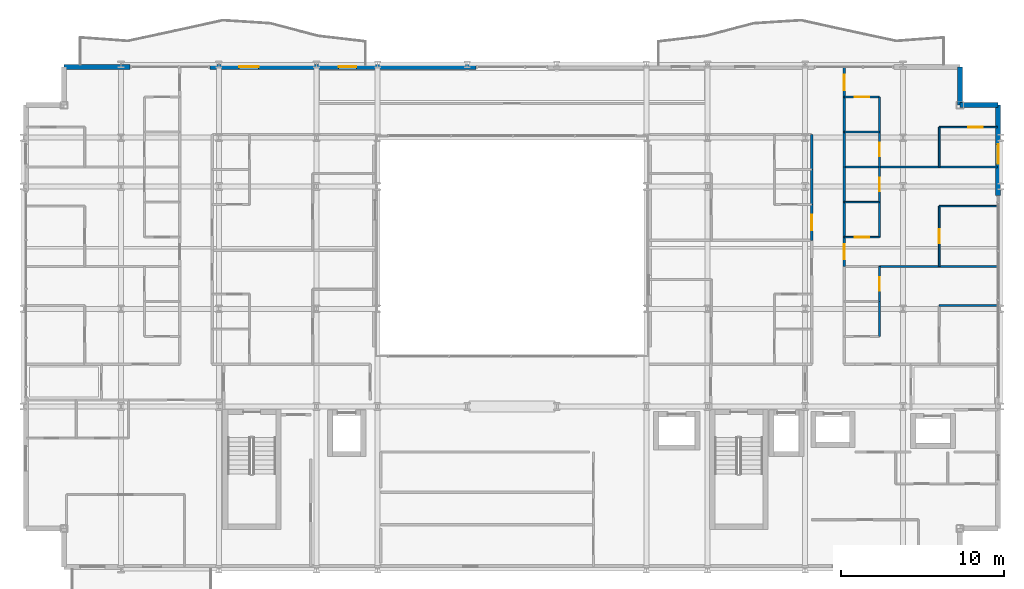
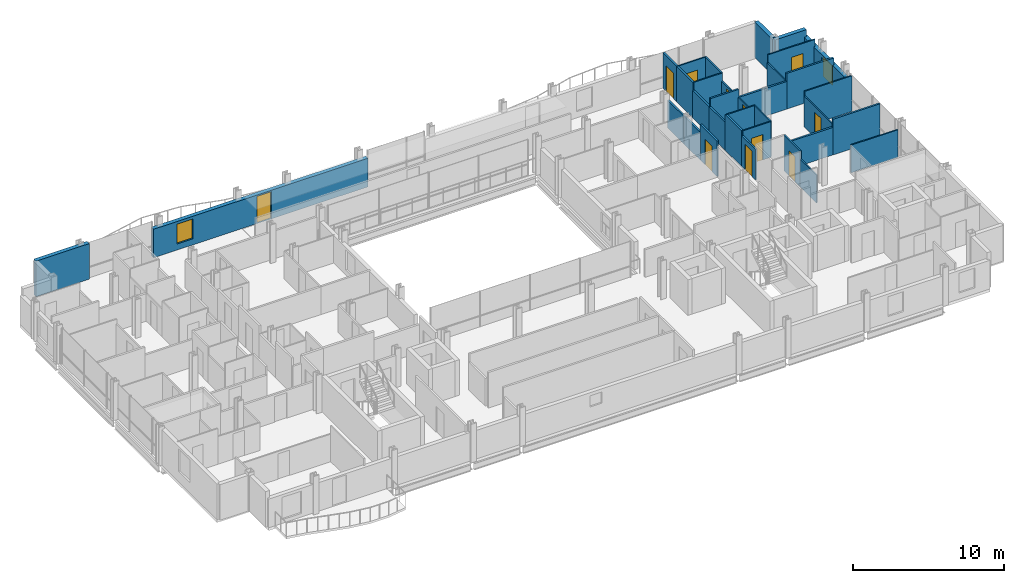
# One storey, part 36 of 40: 34 walls, 11 doors, 2 windows, 13 openings.
"""IFC4 building model written with IfcOpenShell, lengths in metres."""

from ifc_helpers import new_model, si_unit, direction, frame, frame_2d, origin, place, context, subcontext, project, spatial, rectangle, extrude, material, layer, layer_set, type_object, element, fill, save


model = new_model("IFC4")

# Units and contexts
model_context = context("Model", 3, precision=1e-05, world=origin(), true_north=direction((0.0, 1.0)))
body_context = subcontext(model_context, "Body", "Model", "MODEL_VIEW")
ifc_project = project(units=[si_unit("LENGTHUNIT", "METRE"), si_unit("AREAUNIT", "SQUARE_METRE"), si_unit("VOLUMEUNIT", "CUBIC_METRE"), si_unit("PLANEANGLEUNIT", "RADIAN"), si_unit("MASSUNIT", "GRAM", prefix="KILO")], contexts=[model_context])

# Site, building, storey
site_placement = place(None, origin())
site = spatial("IfcSite", under=ifc_project, at=site_placement, CompositionType="ELEMENT")
building_placement = place(site_placement, origin())
building = spatial("IfcBuilding", under=site, at=building_placement, Name="Brevholm Reach", CompositionType="ELEMENT")
storey_placement = place(building_placement, frame((0.0, 0.0, 37.300048828125)))
storey = spatial("IfcBuildingStorey", under=building, at=storey_placement, Name="L09", CompositionType="ELEMENT", Elevation=37.300048828125)

# Walls
ifc_material_1 = material(Name="Concrete C40/50", Category="concrete")
ifc_layer_1 = layer(ifc_material_1, 0.300048828125)
ifc_layer_set_1 = layer_set([ifc_layer_1], Name="Concrete C40/50")
wall_type_1 = type_object("IfcWallType", Name="WAL-EXT-300", PredefinedType="STANDARD", material=ifc_layer_set_1)
for number, where, z_axis, x_axis, name in (
    (1, (59.85009765625, 28.5, 0.0), (0.0, 0.0, 1.0), (-1.0, 0.0, 0.0), "L09 Facade Wall WAL-L09-CNE1"),
    (2, (57.5, 28.5, 0.0), (0.0, 0.0, 1.0), (0.0, 1.0, 0.0), "L09 Facade Wall WAL-L09-CNE2"),
):
    element("IfcWall", number, at=place(storey_placement, frame(where, z_axis=z_axis, x_axis=x_axis)), inside=storey, type_object=wall_type_1, Name=name, PredefinedType="STANDARD", context=body_context, shape_type="SweptSolid", body=[
        extrude(rectangle(XDim=2.35009765625, YDim=0.300048828125, at=frame_2d((1.175048828125, 0.0))), origin(), (0.0, 0.0, 1.0), 2.869873046875),
    ])

# Wall, opening, window
wall_1_placement = place(storey_placement, frame((59.85009765625, 22.949951171875, 0.0), z_axis=(0.0, 0.0, 1.0), x_axis=(0.0, 1.0, 0.0)))
wall_1 = element("IfcWall", 3, at=wall_1_placement, inside=storey, type_object=wall_type_1, Name="L09 Facade Wall WAL-L09-E-N", PredefinedType="STANDARD", context=body_context, shape_type="SweptSolid", body=[
    extrude(rectangle(XDim=5.550048828125, YDim=0.300048828125, at=frame_2d((2.77490234375, 0.0))), origin(), (0.0, 0.0, 1.0), 2.305419921875),
])
opening_1_placement = place(wall_1_placement, frame((1.949951171875, 0.0, 0.486083984375)))
opening_1 = element("IfcOpeningElement", 4, at=opening_1_placement, cuts=wall_1, Name="Opening WN-08", PredefinedType="OPENING", context=body_context, shape_type="SweptSolid", body=[
    extrude(rectangle(XDim=1.199951171875, YDim=1.60009765625, at=frame_2d((0.60009765625, 0.800048828125))), frame((0.0, 0.159912109375, 0.0), z_axis=(0.0, -1.0, 0.0), x_axis=(1.0, 0.0, 0.0)), (0.0, 0.0, 1.0), 0.320068359375),
])
ifc_material_2 = material(Name="Dark Anodised Aluminium and Solar-Control IGU Glass", Category="aluminium")
window_type = type_object("IfcWindowType", Name="WIN-RES-1200", PartitioningType="SINGLE_PANEL", PredefinedType="WINDOW", material=ifc_material_2)
window_1_placement = place(opening_1_placement, origin())
window_1 = element("IfcWindow", 5, at=window_1_placement, inside=storey, type_object=window_type, Name="L09 Window WIN-L09-EN-1", OverallHeight=1.60009765625, OverallWidth=1.199951171875, PartitioningType="SINGLE_PANEL", PredefinedType="WINDOW", context=body_context, shape_type="SweptSolid", body=[
    extrude(rectangle(XDim=1.199951171875, YDim=1.60009765625, at=frame_2d((0.60009765625, 0.800048828125))), frame((0.0, 0.030029296875, 0.0), z_axis=(0.0, -1.0, 0.0), x_axis=(1.0, 0.0, 0.0)), (0.0, 0.0, 1.0), 0.06005859375),
])
fill(opening_1, window_1)

# Wall
wall_2_placement = place(storey_placement, frame((2.5, 30.85009765625, 0.0), z_axis=(0.0, 0.0, 1.0), x_axis=(1.0, 0.0, 0.0)))
element("IfcWall", 6, at=wall_2_placement, inside=storey, type_object=wall_type_1, Name="L09 Facade Wall WAL-L09-NP-W0", PredefinedType="STANDARD", context=body_context, shape_type="SweptSolid", body=[
    extrude(rectangle(XDim=4.050048828125, YDim=0.300048828125, at=frame_2d((2.02490234375, 0.0))), origin(), (0.0, 0.0, 1.0), 2.869873046875),
])

# Wall, openings, door, window
wall_3_placement = place(storey_placement, frame((11.449951171875, 30.85009765625, 0.0), z_axis=(0.0, 0.0, 1.0), x_axis=(1.0, 0.0, 0.0)))
wall_3 = element("IfcWall", 7, at=wall_3_placement, inside=storey, type_object=wall_type_1, Name="L09 Facade Wall WAL-L09-NP-WL", PredefinedType="STANDARD", context=body_context, shape_type="SweptSolid", body=[
    extrude(rectangle(XDim=16.35009765625, YDim=0.300048828125, at=frame_2d((8.175048828125, 0.0))), origin(), (0.0, 0.0, 1.0), 2.305419921875),
])
opening_2_placement = place(wall_3_placement, frame((7.89794921875, 0.0, 0.0)))
opening_2 = element("IfcOpeningElement", 8, at=opening_2_placement, cuts=wall_3, Name="Opening BD-01", PredefinedType="OPENING", context=body_context, shape_type="SweptSolid", body=[
    extrude(rectangle(XDim=1.10009765625, YDim=2.199951171875, at=frame_2d((0.550048828125, 1.10009765625))), frame((0.0, 0.159912109375, 0.0), z_axis=(0.0, -1.0, 0.0), x_axis=(1.0, 0.0, 0.0)), (0.0, 0.0, 1.0), 0.320068359375),
])
opening_3_placement = place(wall_3_placement, frame((1.800048828125, 0.0, 0.486083984375)))
opening_3 = element("IfcOpeningElement", 9, at=opening_3_placement, cuts=wall_3, Name="Opening WN-08", PredefinedType="OPENING", context=body_context, shape_type="SweptSolid", body=[
    extrude(rectangle(XDim=1.199951171875, YDim=1.60009765625, at=frame_2d((0.60009765625, 0.800048828125))), frame((0.0, 0.159912109375, 0.0), z_axis=(0.0, -1.0, 0.0), x_axis=(1.0, 0.0, 0.0)), (0.0, 0.0, 1.0), 0.320068359375),
])
ifc_material_3 = material(Name="Dark Anodised Aluminium and Triple-Glazed Glass", Category="aluminium")
door_type_1 = type_object("IfcDoorType", Name="DOR-BALC-1100", OperationType="NOTDEFINED", PredefinedType="DOOR", material=ifc_material_3)
door_1_placement = place(opening_2_placement, origin())
door_1 = element("IfcDoor", 10, at=door_1_placement, inside=storey, type_object=door_type_1, Name="L09 Exterior Door DOR-L09-BL-NW", OperationType="SINGLE_SWING_RIGHT", OverallHeight=2.199951171875, OverallWidth=1.10009765625, PredefinedType="DOOR", context=body_context, shape_type="SweptSolid", body=[
    extrude(rectangle(XDim=1.10009765625, YDim=2.199951171875, at=frame_2d((0.550048828125, 1.10009765625))), frame((0.0, 0.02490234375, 0.0), z_axis=(0.0, -1.0, 0.0), x_axis=(1.0, 0.0, 0.0)), (0.0, 0.0, 1.0), 0.050048828125),
])
fill(opening_2, door_1)
window_2_placement = place(opening_3_placement, origin())
window_2 = element("IfcWindow", 11, at=window_2_placement, inside=storey, type_object=window_type, Name="L09 Window WIN-L09-NP-WL1", OverallHeight=1.60009765625, OverallWidth=1.199951171875, PartitioningType="SINGLE_PANEL", PredefinedType="WINDOW", context=body_context, shape_type="SweptSolid", body=[
    extrude(rectangle(XDim=1.199951171875, YDim=1.60009765625, at=frame_2d((0.60009765625, 0.800048828125))), frame((0.0, 0.030029296875, 0.0), z_axis=(0.0, -1.0, 0.0), x_axis=(1.0, 0.0, 0.0)), (0.0, 0.0, 1.0), 0.06005859375),
])
fill(opening_3, window_2)

# Wall, opening, door
ifc_material_4 = material(Name="Moisture-Resistant Acoustic Gypsum Stud Partition 100 mm", Category="gypsum")
ifc_layer_2 = layer(ifc_material_4, 0.10009765625)
ifc_layer_set_2 = layer_set([ifc_layer_2], Name="Moisture-Resistant Acoustic Gypsum Stud Partition 100 mm")
wall_type_2 = type_object("IfcWallType", Name="WAL-PRT-100", PredefinedType="PARTITIONING", material=ifc_layer_set_2)
wall_4_placement = place(storey_placement, frame((52.56201171875, 16.449951171875, 0.0), z_axis=(0.0, 0.0, 1.0), x_axis=(0.0, 1.0, 0.0)))
wall_4 = element("IfcWall", 12, at=wall_4_placement, inside=storey, type_object=wall_type_2, Name="L09 Internal Partition 139", PredefinedType="PARTITIONING", context=body_context, shape_type="SweptSolid", body=[
    extrude(rectangle(XDim=2.150146484375, YDim=0.10009765625, at=frame_2d((1.0751953125, 0.0))), origin(), (0.0, 0.0, 1.0), 2.869873046875),
])
opening_4_placement = place(wall_4_placement, frame((0.6650390625, 0.0, 0.0)))
opening_4 = element("IfcOpeningElement", 13, at=opening_4_placement, cuts=wall_4, Name="Opening ID-03", PredefinedType="OPENING", context=body_context, shape_type="SweptSolid", body=[
    extrude(rectangle(XDim=0.820068359375, YDim=2.02001953125, at=frame_2d((0.41015625, 1.010009765625))), frame((0.0, 0.06005859375, 0.0), z_axis=(0.0, -1.0, 0.0), x_axis=(1.0, 0.0, 0.0)), (0.0, 0.0, 1.0), 0.1201171875),
])
ifc_material_5 = material(Name="Moisture-Resistant Painted Timber Internal Bathroom Door", Category="wood")
door_type_2 = type_object("IfcDoorType", Name="DOR-BATH-820", OperationType="NOTDEFINED", PredefinedType="DOOR", material=ifc_material_5)
door_2_placement = place(opening_4_placement, origin())
door_2 = element("IfcDoor", 14, at=door_2_placement, inside=storey, type_object=door_type_2, Name="L09 Internal Door 052", OperationType="SINGLE_SWING_LEFT", OverallHeight=2.02001953125, OverallWidth=0.820068359375, PredefinedType="DOOR", context=body_context, shape_type="SweptSolid", body=[
    extrude(rectangle(XDim=0.820068359375, YDim=2.02001953125, at=frame_2d((0.41015625, 1.010009765625))), frame((0.0, 0.02490234375, 0.0), z_axis=(0.0, -1.0, 0.0), x_axis=(1.0, 0.0, 0.0)), (0.0, 0.0, 1.0), 0.050048828125),
])
fill(opening_4, door_2)

# Walls
wall_5_placement = place(storey_placement, frame((52.56201171875, 14.300048828125, 0.0), z_axis=(0.0, 0.0, 1.0), x_axis=(0.0, 1.0, 0.0)))
element("IfcWall", 15, at=wall_5_placement, inside=storey, type_object=wall_type_2, Name="L09 Internal Partition 142", PredefinedType="PARTITIONING", context=body_context, shape_type="SweptSolid", body=[
    extrude(rectangle(XDim=2.14599609375, YDim=0.10009765625, at=frame_2d((1.072998046875, 0.0))), origin(), (0.0, 0.0, 1.0), 2.224853515625),
])
wall_6_placement = place(storey_placement, frame((56.22802734375, 16.199951171875, 0.0), z_axis=(0.0, 0.0, 1.0), x_axis=(1.0, 0.0, 0.0)))
element("IfcWall", 16, at=wall_6_placement, inside=storey, type_object=wall_type_2, Name="L09 Internal Partition 143", PredefinedType="PARTITIONING", context=body_context, shape_type="SweptSolid", body=[
    extrude(rectangle(XDim=3.572021484375, YDim=0.10009765625, at=frame_2d((1.7861328125, 0.0))), origin(), (0.0, 0.0, 1.0), 2.224853515625),
])
wall_7_placement = place(storey_placement, frame((50.404052734375, 22.550048828125, 0.0), z_axis=(0.0, 0.0, 1.0), x_axis=(1.0, 0.0, 0.0)))
element("IfcWall", 17, at=wall_7_placement, inside=storey, type_object=wall_type_2, Name="L09 Internal Partition 147", PredefinedType="PARTITIONING", context=body_context, shape_type="SweptSolid", body=[
    extrude(rectangle(XDim=2.157958984375, YDim=0.10009765625, at=frame_2d((1.0791015625, 0.0))), origin(), (0.0, 0.0, 1.0), 2.869873046875),
])

# Wall, opening, door
wall_8_placement = place(storey_placement, frame((52.56201171875, 22.550048828125, 0.0), z_axis=(0.0, 0.0, 1.0), x_axis=(0.0, 1.0, 0.0)))
wall_8 = element("IfcWall", 18, at=wall_8_placement, inside=storey, type_object=wall_type_2, Name="L09 Internal Partition 148", PredefinedType="PARTITIONING", context=body_context, shape_type="SweptSolid", body=[
    extrude(rectangle(XDim=2.14990234375, YDim=0.10009765625, at=frame_2d((1.074951171875, 0.0))), origin(), (0.0, 0.0, 1.0), 2.224853515625),
])
opening_5_placement = place(wall_8_placement, frame((0.6650390625, 0.0, 0.0)))
opening_5 = element("IfcOpeningElement", 19, at=opening_5_placement, cuts=wall_8, Name="Opening ID-03", PredefinedType="OPENING", context=body_context, shape_type="SweptSolid", body=[
    extrude(rectangle(XDim=0.820068359375, YDim=2.02001953125, at=frame_2d((0.41015625, 1.010009765625))), frame((0.0, 0.06005859375, 0.0), z_axis=(0.0, -1.0, 0.0), x_axis=(1.0, 0.0, 0.0)), (0.0, 0.0, 1.0), 0.1201171875),
])
door_3_placement = place(opening_5_placement, origin())
door_3 = element("IfcDoor", 20, at=door_3_placement, inside=storey, type_object=door_type_2, Name="L09 Internal Door 055", OperationType="SINGLE_SWING_RIGHT", OverallHeight=2.02001953125, OverallWidth=0.820068359375, PredefinedType="DOOR", context=body_context, shape_type="SweptSolid", body=[
    extrude(rectangle(XDim=0.820068359375, YDim=2.02001953125, at=frame_2d((0.41015625, 1.010009765625))), frame((0.0, 0.02490234375, 0.0), z_axis=(0.0, -1.0, 0.0), x_axis=(1.0, 0.0, 0.0)), (0.0, 0.0, 1.0), 0.050048828125),
])
fill(opening_5, door_3)

wall_9_placement = place(storey_placement, frame((50.404052734375, 20.39990234375, 0.0), z_axis=(0.0, 0.0, 1.0), x_axis=(1.0, 0.0, 0.0)))
wall_9 = element("IfcWall", 21, at=wall_9_placement, inside=storey, type_object=wall_type_2, Name="L09 Internal Partition 150", PredefinedType="PARTITIONING", context=body_context, shape_type="SweptSolid", body=[
    extrude(rectangle(XDim=2.157958984375, YDim=0.10009765625, at=frame_2d((1.0791015625, 0.0))), origin(), (0.0, 0.0, 1.0), 2.869873046875),
])
opening_6_placement = place(wall_9_placement, frame((0.638916015625, 0.0, 0.0)))
opening_6 = element("IfcOpeningElement", 22, at=opening_6_placement, cuts=wall_9, Name="Opening ID-01", PredefinedType="OPENING", context=body_context, shape_type="SweptSolid", body=[
    extrude(rectangle(XDim=0.8798828125, YDim=2.0400390625, at=frame_2d((0.43994140625, 1.02001953125))), frame((0.0, 0.06005859375, 0.0), z_axis=(0.0, -1.0, 0.0), x_axis=(1.0, 0.0, 0.0)), (0.0, 0.0, 1.0), 0.1201171875),
])
ifc_material_6 = material(Name="Lacquered Ash Solid-Core Acoustic Internal Door", Category="timber")
door_type_3 = type_object("IfcDoorType", Name="DOR-INT-880", OperationType="NOTDEFINED", PredefinedType="DOOR", material=ifc_material_6)
door_4_placement = place(opening_6_placement, origin())
door_4 = element("IfcDoor", 23, at=door_4_placement, inside=storey, type_object=door_type_3, Name="L09 Internal Door 056", OperationType="SINGLE_SWING_LEFT", OverallHeight=2.0400390625, OverallWidth=0.8798828125, PredefinedType="DOOR", context=body_context, shape_type="SweptSolid", body=[
    extrude(rectangle(XDim=0.8798828125, YDim=2.0400390625, at=frame_2d((0.43994140625, 1.02001953125))), frame((0.0, 0.02490234375, 0.0), z_axis=(0.0, -1.0, 0.0), x_axis=(1.0, 0.0, 0.0)), (0.0, 0.0, 1.0), 0.050048828125),
])
fill(opening_6, door_4)

# Walls
wall_10_placement = place(storey_placement, frame((52.56201171875, 20.39990234375, 0.0), z_axis=(0.0, 0.0, 1.0), x_axis=(0.0, 1.0, 0.0)))
element("IfcWall", 24, at=wall_10_placement, inside=storey, type_object=wall_type_2, Name="L09 Internal Partition 151", PredefinedType="PARTITIONING", context=body_context, shape_type="SweptSolid", body=[
    extrude(rectangle(XDim=2.14599609375, YDim=0.10009765625, at=frame_2d((1.072998046875, 0.0))), origin(), (0.0, 0.0, 1.0), 2.869873046875),
])
wall_11_placement = place(storey_placement, frame((56.22802734375, 22.300048828125, 0.0), z_axis=(0.0, 0.0, 1.0), x_axis=(1.0, 0.0, 0.0)))
element("IfcWall", 25, at=wall_11_placement, inside=storey, type_object=wall_type_2, Name="L09 Internal Partition 152", PredefinedType="PARTITIONING", context=body_context, shape_type="SweptSolid", body=[
    extrude(rectangle(XDim=3.572021484375, YDim=0.10009765625, at=frame_2d((1.7861328125, 0.0))), origin(), (0.0, 0.0, 1.0), 2.869873046875),
])

# Wall, opening, door
wall_12_placement = place(storey_placement, frame((56.22802734375, 18.60400390625, 0.0), z_axis=(0.0, 0.0, 1.0), x_axis=(0.0, 1.0, 0.0)))
wall_12 = element("IfcWall", 26, at=wall_12_placement, inside=storey, type_object=wall_type_2, Name="L09 Internal Partition 153", PredefinedType="PARTITIONING", context=body_context, shape_type="SweptSolid", body=[
    extrude(rectangle(XDim=3.696044921875, YDim=0.10009765625, at=frame_2d((1.84814453125, 0.0))), origin(), (0.0, 0.0, 1.0), 2.489990234375),
])
opening_7_placement = place(wall_12_placement, frame((1.407958984375, 0.0, 0.0)))
opening_7 = element("IfcOpeningElement", 27, at=opening_7_placement, cuts=wall_12, Name="Opening ID-01", PredefinedType="OPENING", context=body_context, shape_type="SweptSolid", body=[
    extrude(rectangle(XDim=0.8798828125, YDim=2.0400390625, at=frame_2d((0.43994140625, 1.02001953125))), frame((0.0, 0.06005859375, 0.0), z_axis=(0.0, -1.0, 0.0), x_axis=(1.0, 0.0, 0.0)), (0.0, 0.0, 1.0), 0.1201171875),
])
door_5_placement = place(opening_7_placement, origin())
door_5 = element("IfcDoor", 28, at=door_5_placement, inside=storey, type_object=door_type_3, Name="L09 Internal Door 057", OperationType="SINGLE_SWING_RIGHT", OverallHeight=2.0400390625, OverallWidth=0.8798828125, PredefinedType="DOOR", context=body_context, shape_type="SweptSolid", body=[
    extrude(rectangle(XDim=0.8798828125, YDim=2.0400390625, at=frame_2d((0.43994140625, 1.02001953125))), frame((0.0, 0.02490234375, 0.0), z_axis=(0.0, -1.0, 0.0), x_axis=(1.0, 0.0, 0.0)), (0.0, 0.0, 1.0), 0.050048828125),
])
fill(opening_7, door_5)

# Wall
wall_13_placement = place(storey_placement, frame((50.404052734375, 26.85009765625, 0.0), z_axis=(0.0, 0.0, 1.0), x_axis=(1.0, 0.0, 0.0)))
element("IfcWall", 29, at=wall_13_placement, inside=storey, type_object=wall_type_2, Name="L09 Internal Partition 156", PredefinedType="PARTITIONING", context=body_context, shape_type="SweptSolid", body=[
    extrude(rectangle(XDim=2.157958984375, YDim=0.10009765625, at=frame_2d((1.0791015625, 0.0))), origin(), (0.0, 0.0, 1.0), 2.869873046875),
])

# Wall, opening, door
wall_14_placement = place(storey_placement, frame((52.56201171875, 24.7041015625, 0.0), z_axis=(0.0, 0.0, 1.0), x_axis=(0.0, 1.0, 0.0)))
wall_14 = element("IfcWall", 30, at=wall_14_placement, inside=storey, type_object=wall_type_2, Name="L09 Internal Partition 157", PredefinedType="PARTITIONING", context=body_context, shape_type="SweptSolid", body=[
    extrude(rectangle(XDim=2.14599609375, YDim=0.10009765625, at=frame_2d((1.072998046875, 0.0))), origin(), (0.0, 0.0, 1.0), 2.224853515625),
])
opening_8_placement = place(wall_14_placement, frame((0.6630859375, 0.0, 0.0)))
opening_8 = element("IfcOpeningElement", 31, at=opening_8_placement, cuts=wall_14, Name="Opening ID-03", PredefinedType="OPENING", context=body_context, shape_type="SweptSolid", body=[
    extrude(rectangle(XDim=0.820068359375, YDim=2.02001953125, at=frame_2d((0.41015625, 1.010009765625))), frame((0.0, 0.06005859375, 0.0), z_axis=(0.0, -1.0, 0.0), x_axis=(1.0, 0.0, 0.0)), (0.0, 0.0, 1.0), 0.1201171875),
])
door_6_placement = place(opening_8_placement, origin())
door_6 = element("IfcDoor", 32, at=door_6_placement, inside=storey, type_object=door_type_2, Name="L09 Internal Door 058", OperationType="SINGLE_SWING_LEFT", OverallHeight=2.02001953125, OverallWidth=0.820068359375, PredefinedType="DOOR", context=body_context, shape_type="SweptSolid", body=[
    extrude(rectangle(XDim=0.820068359375, YDim=2.02001953125, at=frame_2d((0.41015625, 1.010009765625))), frame((0.0, 0.02490234375, 0.0), z_axis=(0.0, -1.0, 0.0), x_axis=(1.0, 0.0, 0.0)), (0.0, 0.0, 1.0), 0.050048828125),
])
fill(opening_8, door_6)

# Wall
wall_15_placement = place(storey_placement, frame((52.56201171875, 26.85400390625, 0.0), z_axis=(0.0, 0.0, 1.0), x_axis=(0.0, 1.0, 0.0)))
element("IfcWall", 33, at=wall_15_placement, inside=storey, type_object=wall_type_2, Name="L09 Internal Partition 158", PredefinedType="PARTITIONING", context=body_context, shape_type="SweptSolid", body=[
    extrude(rectangle(XDim=2.14599609375, YDim=0.10009765625, at=frame_2d((1.072998046875, 0.0))), origin(), (0.0, 0.0, 1.0), 2.869873046875),
])

# Wall, opening, door
wall_16_placement = place(storey_placement, frame((50.404052734375, 29.0, 0.0), z_axis=(0.0, 0.0, 1.0), x_axis=(1.0, 0.0, 0.0)))
wall_16 = element("IfcWall", 34, at=wall_16_placement, inside=storey, type_object=wall_type_2, Name="L09 Internal Partition 159", PredefinedType="PARTITIONING", context=body_context, shape_type="SweptSolid", body=[
    extrude(rectangle(XDim=2.157958984375, YDim=0.10009765625, at=frame_2d((1.0791015625, 0.0))), origin(), (0.0, 0.0, 1.0), 2.869873046875),
])
opening_9_placement = place(wall_16_placement, frame((0.638916015625, 0.0, 0.0)))
opening_9 = element("IfcOpeningElement", 35, at=opening_9_placement, cuts=wall_16, Name="Opening ID-01", PredefinedType="OPENING", context=body_context, shape_type="SweptSolid", body=[
    extrude(rectangle(XDim=0.8798828125, YDim=2.0400390625, at=frame_2d((0.43994140625, 1.02001953125))), frame((0.0, 0.06005859375, 0.0), z_axis=(0.0, -1.0, 0.0), x_axis=(1.0, 0.0, 0.0)), (0.0, 0.0, 1.0), 0.1201171875),
])
door_7_placement = place(opening_9_placement, origin())
door_7 = element("IfcDoor", 36, at=door_7_placement, inside=storey, type_object=door_type_3, Name="L09 Internal Door 059", OperationType="SINGLE_SWING_RIGHT", OverallHeight=2.0400390625, OverallWidth=0.8798828125, PredefinedType="DOOR", context=body_context, shape_type="SweptSolid", body=[
    extrude(rectangle(XDim=0.8798828125, YDim=2.0400390625, at=frame_2d((0.43994140625, 1.02001953125))), frame((0.0, 0.02490234375, 0.0), z_axis=(0.0, -1.0, 0.0), x_axis=(1.0, 0.0, 0.0)), (0.0, 0.0, 1.0), 0.050048828125),
])
fill(opening_9, door_7)

wall_17_placement = place(storey_placement, frame((56.22802734375, 27.14990234375, 0.0), z_axis=(0.0, 0.0, 1.0), x_axis=(1.0, 0.0, 0.0)))
wall_17 = element("IfcWall", 37, at=wall_17_placement, inside=storey, type_object=wall_type_2, Name="L09 Internal Partition 160", PredefinedType="PARTITIONING", context=body_context, shape_type="SweptSolid", body=[
    extrude(rectangle(XDim=3.572021484375, YDim=0.10009765625, at=frame_2d((1.7861328125, 0.0))), origin(), (0.0, 0.0, 1.0), 2.869873046875),
])
opening_10_placement = place(wall_17_placement, frame((1.785888671875, 0.0, 0.0)))
opening_10 = element("IfcOpeningElement", 38, at=opening_10_placement, cuts=wall_17, Name="Opening ID-01", PredefinedType="OPENING", context=body_context, shape_type="SweptSolid", body=[
    extrude(rectangle(XDim=0.8798828125, YDim=2.0400390625, at=frame_2d((0.43994140625, 1.02001953125))), frame((0.0, 0.06005859375, 0.0), z_axis=(0.0, -1.0, 0.0), x_axis=(1.0, 0.0, 0.0)), (0.0, 0.0, 1.0), 0.1201171875),
])
door_8_placement = place(opening_10_placement, origin())
door_8 = element("IfcDoor", 39, at=door_8_placement, inside=storey, type_object=door_type_3, Name="L09 Internal Door 060", OperationType="SINGLE_SWING_LEFT", OverallHeight=2.0400390625, OverallWidth=0.8798828125, PredefinedType="DOOR", context=body_context, shape_type="SweptSolid", body=[
    extrude(rectangle(XDim=0.8798828125, YDim=2.0400390625, at=frame_2d((0.43994140625, 1.02001953125))), frame((0.0, 0.02490234375, 0.0), z_axis=(0.0, -1.0, 0.0), x_axis=(1.0, 0.0, 0.0)), (0.0, 0.0, 1.0), 0.050048828125),
])
fill(opening_10, door_8)

# Walls
wall_18_placement = place(storey_placement, frame((56.22802734375, 24.7041015625, 0.0), z_axis=(0.0, 0.0, 1.0), x_axis=(0.0, 1.0, 0.0)))
element("IfcWall", 40, at=wall_18_placement, inside=storey, type_object=wall_type_2, Name="L09 Internal Partition 161", PredefinedType="PARTITIONING", context=body_context, shape_type="SweptSolid", body=[
    extrude(rectangle(XDim=2.44580078125, YDim=0.10009765625, at=frame_2d((1.222900390625, 0.0))), origin(), (0.0, 0.0, 1.0), 2.224853515625),
])
ifc_material_7 = material(Name="Twin-Stud Acoustic Fire-Rated Gypsum Partition 140 mm", Category="gypsum")
ifc_layer_3 = layer(ifc_material_7, 0.139892578125)
ifc_layer_set_3 = layer_set([ifc_layer_3], Name="Twin-Stud Acoustic Fire-Rated Gypsum Partition 140 mm")
wall_type_3 = type_object("IfcWallType", Name="WAL-PRT-140", PredefinedType="PARTITIONING", material=ifc_layer_set_3)
wall_19_placement = place(storey_placement, frame((48.39990234375, 24.538818359375, 0.0), z_axis=(0.0, 0.0, 1.0), x_axis=(0.0, 1.0, 0.0)))
element("IfcWall", 41, at=wall_19_placement, inside=storey, type_object=wall_type_3, Name="L09 Internal Partition 048", PredefinedType="PARTITIONING", context=body_context, shape_type="SweptSolid", body=[
    extrude(rectangle(XDim=2.16845703125, YDim=0.139892578125, at=frame_2d((1.084228515625, 0.0))), origin(), (0.0, 0.0, 1.0), 2.224853515625),
])
wall_20_placement = place(storey_placement, frame((48.39990234375, 22.388671875, 0.0), z_axis=(0.0, 0.0, 1.0), x_axis=(0.0, 1.0, 0.0)))
element("IfcWall", 42, at=wall_20_placement, inside=storey, type_object=wall_type_3, Name="L09 Internal Partition 049", PredefinedType="PARTITIONING", context=body_context, shape_type="SweptSolid", body=[
    extrude(rectangle(XDim=2.168701171875, YDim=0.139892578125, at=frame_2d((1.08447265625, 0.0))), origin(), (0.0, 0.0, 1.0), 2.224853515625),
])

# Wall, opening, door
wall_21_placement = place(storey_placement, frame((48.39990234375, 20.192626953125, 0.0), z_axis=(0.0, 0.0, 1.0), x_axis=(0.0, 1.0, 0.0)))
wall_21 = element("IfcWall", 43, at=wall_21_placement, inside=storey, type_object=wall_type_3, Name="L09 Internal Partition 050", PredefinedType="PARTITIONING", context=body_context, shape_type="SweptSolid", body=[
    extrude(rectangle(XDim=2.214599609375, YDim=0.139892578125, at=frame_2d((1.107421875, 0.0))), origin(), (0.0, 0.0, 1.0), 2.869873046875),
])
opening_11_placement = place(wall_21_placement, frame((0.63232421875, 0.0, 0.0)))
opening_11 = element("IfcOpeningElement", 44, at=opening_11_placement, cuts=wall_21, Name="Opening ID-30", PredefinedType="OPENING", context=body_context, shape_type="SweptSolid", body=[
    extrude(rectangle(XDim=0.949951171875, YDim=2.050048828125, at=frame_2d((0.47509765625, 1.02490234375))), frame((0.0, 0.079833984375, 0.0), z_axis=(0.0, -1.0, 0.0), x_axis=(1.0, 0.0, 0.0)), (0.0, 0.0, 1.0), 0.159912109375),
])
ifc_material_8 = material(Name="European Oak Veneered Solid-Core Fire Entrance Door", Category="timber")
door_type_4 = type_object("IfcDoorType", Name="DOR-FLT-FD30S", OperationType="NOTDEFINED", PredefinedType="DOOR", material=ifc_material_8)
door_9_placement = place(opening_11_placement, origin())
door_9 = element("IfcDoor", 45, at=door_9_placement, inside=storey, type_object=door_type_4, Name="L09 Internal Door 021", OperationType="SINGLE_SWING_RIGHT", OverallHeight=2.050048828125, OverallWidth=0.949951171875, PredefinedType="DOOR", context=body_context, shape_type="SweptSolid", body=[
    extrude(rectangle(XDim=0.949951171875, YDim=2.050048828125, at=frame_2d((0.47509765625, 1.02490234375))), frame((0.0, 0.02490234375, 0.0), z_axis=(0.0, -1.0, 0.0), x_axis=(1.0, 0.0, 0.0)), (0.0, 0.0, 1.0), 0.050048828125),
])
fill(opening_11, door_9)

# Walls
wall_22_placement = place(storey_placement, frame((50.39990234375, 22.538818359375, 0.0), z_axis=(0.0, 0.0, 1.0), x_axis=(0.0, 1.0, 0.0)))
element("IfcWall", 46, at=wall_22_placement, inside=storey, type_object=wall_type_3, Name="L09 Internal Partition 054", PredefinedType="PARTITIONING", context=body_context, shape_type="SweptSolid", body=[
    extrude(rectangle(XDim=2.17236328125, YDim=0.139892578125, at=frame_2d((1.086181640625, 0.0))), origin(), (0.0, 0.0, 1.0), 2.224853515625),
])
wall_23_placement = place(storey_placement, frame((50.39990234375, 20.388671875, 0.0), z_axis=(0.0, 0.0, 1.0), x_axis=(0.0, 1.0, 0.0)))
element("IfcWall", 47, at=wall_23_placement, inside=storey, type_object=wall_type_3, Name="L09 Internal Partition 055", PredefinedType="PARTITIONING", context=body_context, shape_type="SweptSolid", body=[
    extrude(rectangle(XDim=2.168701171875, YDim=0.139892578125, at=frame_2d((1.08447265625, 0.0))), origin(), (0.0, 0.0, 1.0), 2.869873046875),
])

# Wall, opening, door
wall_24_placement = place(storey_placement, frame((50.39990234375, 18.5927734375, 0.0), z_axis=(0.0, 0.0, 1.0), x_axis=(0.0, 1.0, 0.0)))
wall_24 = element("IfcWall", 48, at=wall_24_placement, inside=storey, type_object=wall_type_3, Name="L09 Internal Partition 056", PredefinedType="PARTITIONING", context=body_context, shape_type="SweptSolid", body=[
    extrude(rectangle(XDim=1.814453125, YDim=0.139892578125, at=frame_2d((0.9072265625, 0.0))), origin(), (0.0, 0.0, 1.0), 2.489990234375),
])
opening_12_placement = place(wall_24_placement, frame((0.432373046875, 0.0, 0.0)))
opening_12 = element("IfcOpeningElement", 49, at=opening_12_placement, cuts=wall_24, Name="Opening ID-30", PredefinedType="OPENING", context=body_context, shape_type="SweptSolid", body=[
    extrude(rectangle(XDim=0.949951171875, YDim=2.050048828125, at=frame_2d((0.47509765625, 1.02490234375))), frame((0.0, 0.079833984375, 0.0), z_axis=(0.0, -1.0, 0.0), x_axis=(1.0, 0.0, 0.0)), (0.0, 0.0, 1.0), 0.159912109375),
])
door_10_placement = place(opening_12_placement, origin())
door_10 = element("IfcDoor", 50, at=door_10_placement, inside=storey, type_object=door_type_4, Name="L09 Internal Door 022", OperationType="SINGLE_SWING_LEFT", OverallHeight=2.050048828125, OverallWidth=0.949951171875, PredefinedType="DOOR", context=body_context, shape_type="SweptSolid", body=[
    extrude(rectangle(XDim=0.949951171875, YDim=2.050048828125, at=frame_2d((0.47509765625, 1.02490234375))), frame((0.0, 0.02490234375, 0.0), z_axis=(0.0, -1.0, 0.0), x_axis=(1.0, 0.0, 0.0)), (0.0, 0.0, 1.0), 0.050048828125),
])
fill(opening_12, door_10)

# Walls
wall_25_placement = place(storey_placement, frame((50.39990234375, 24.692626953125, 0.0), z_axis=(0.0, 0.0, 1.0), x_axis=(0.0, 1.0, 0.0)))
element("IfcWall", 51, at=wall_25_placement, inside=storey, type_object=wall_type_3, Name="L09 Internal Partition 057", PredefinedType="PARTITIONING", context=body_context, shape_type="SweptSolid", body=[
    extrude(rectangle(XDim=2.168701171875, YDim=0.139892578125, at=frame_2d((1.08447265625, 0.0))), origin(), (0.0, 0.0, 1.0), 2.224853515625),
])
wall_26_placement = place(storey_placement, frame((50.39990234375, 26.8427734375, 0.0), z_axis=(0.0, 0.0, 1.0), x_axis=(0.0, 1.0, 0.0)))
element("IfcWall", 52, at=wall_26_placement, inside=storey, type_object=wall_type_3, Name="L09 Internal Partition 058", PredefinedType="PARTITIONING", context=body_context, shape_type="SweptSolid", body=[
    extrude(rectangle(XDim=2.16845703125, YDim=0.139892578125, at=frame_2d((1.084228515625, 0.0))), origin(), (0.0, 0.0, 1.0), 2.869873046875),
])

# Wall, opening, door
wall_27_placement = place(storey_placement, frame((50.39990234375, 28.99267578125, 0.0), z_axis=(0.0, 0.0, 1.0), x_axis=(0.0, 1.0, 0.0)))
wall_27 = element("IfcWall", 53, at=wall_27_placement, inside=storey, type_object=wall_type_3, Name="L09 Internal Partition 059", PredefinedType="PARTITIONING", context=body_context, shape_type="SweptSolid", body=[
    extrude(rectangle(XDim=1.807373046875, YDim=0.139892578125, at=frame_2d((0.90380859375, 0.0))), origin(), (0.0, 0.0, 1.0), 2.869873046875),
])
opening_13_placement = place(wall_27_placement, frame((0.4287109375, 0.0, 0.0)))
opening_13 = element("IfcOpeningElement", 54, at=opening_13_placement, cuts=wall_27, Name="Opening ID-30", PredefinedType="OPENING", context=body_context, shape_type="SweptSolid", body=[
    extrude(rectangle(XDim=0.949951171875, YDim=2.050048828125, at=frame_2d((0.47509765625, 1.02490234375))), frame((0.0, 0.079833984375, 0.0), z_axis=(0.0, -1.0, 0.0), x_axis=(1.0, 0.0, 0.0)), (0.0, 0.0, 1.0), 0.159912109375),
])
door_11_placement = place(opening_13_placement, origin())
door_11 = element("IfcDoor", 55, at=door_11_placement, inside=storey, type_object=door_type_4, Name="L09 Internal Door 023", OperationType="SINGLE_SWING_RIGHT", OverallHeight=2.050048828125, OverallWidth=0.949951171875, PredefinedType="DOOR", context=body_context, shape_type="SweptSolid", body=[
    extrude(rectangle(XDim=0.949951171875, YDim=2.050048828125, at=frame_2d((0.47509765625, 1.02490234375))), frame((0.0, 0.02490234375, 0.0), z_axis=(0.0, -1.0, 0.0), x_axis=(1.0, 0.0, 0.0)), (0.0, 0.0, 1.0), 0.050048828125),
])
fill(opening_13, door_11)

# Walls
wall_28_placement = place(storey_placement, frame((56.216796875, 18.60009765625, 0.0), z_axis=(0.0, 0.0, 1.0), x_axis=(1.0, 0.0, 0.0)))
element("IfcWall", 56, at=wall_28_placement, inside=storey, type_object=wall_type_3, Name="L09 Internal Partition 145", PredefinedType="PARTITIONING", context=body_context, shape_type="SweptSolid", body=[
    extrude(rectangle(XDim=3.583251953125, YDim=0.139892578125, at=frame_2d((1.79150390625, 0.0))), origin(), (0.0, 0.0, 1.0), 2.869873046875),
])
wall_29_placement = place(storey_placement, frame((52.56591796875, 18.60009765625, 0.0), z_axis=(0.0, 0.0, 1.0), x_axis=(1.0, 0.0, 0.0)))
element("IfcWall", 57, at=wall_29_placement, inside=storey, type_object=wall_type_3, Name="L09 Internal Partition 146", PredefinedType="PARTITIONING", context=body_context, shape_type="SweptSolid", body=[
    extrude(rectangle(XDim=3.66943359375, YDim=0.139892578125, at=frame_2d((1.834716796875, 0.0))), origin(), (0.0, 0.0, 1.0), 2.224853515625),
])
wall_30_placement = place(storey_placement, frame((50.404052734375, 24.699951171875, 0.0), z_axis=(0.0, 0.0, 1.0), x_axis=(1.0, 0.0, 0.0)))
element("IfcWall", 58, at=wall_30_placement, inside=storey, type_object=wall_type_3, Name="L09 Internal Partition 149", PredefinedType="PARTITIONING", context=body_context, shape_type="SweptSolid", body=[
    extrude(rectangle(XDim=2.157958984375, YDim=0.139892578125, at=frame_2d((1.0791015625, 0.0))), origin(), (0.0, 0.0, 1.0), 2.869873046875),
])
wall_31_placement = place(storey_placement, frame((56.216796875, 24.699951171875, 0.0), z_axis=(0.0, 0.0, 1.0), x_axis=(1.0, 0.0, 0.0)))
element("IfcWall", 59, at=wall_31_placement, inside=storey, type_object=wall_type_3, Name="L09 Internal Partition 154", PredefinedType="PARTITIONING", context=body_context, shape_type="SweptSolid", body=[
    extrude(rectangle(XDim=3.583251953125, YDim=0.139892578125, at=frame_2d((1.79150390625, 0.0))), origin(), (0.0, 0.0, 1.0), 2.869873046875),
])
wall_32_placement = place(storey_placement, frame((52.56591796875, 24.699951171875, 0.0), z_axis=(0.0, 0.0, 1.0), x_axis=(1.0, 0.0, 0.0)))
element("IfcWall", 60, at=wall_32_placement, inside=storey, type_object=wall_type_3, Name="L09 Internal Partition 155", PredefinedType="PARTITIONING", context=body_context, shape_type="SweptSolid", body=[
    extrude(rectangle(XDim=3.66943359375, YDim=0.139892578125, at=frame_2d((1.834716796875, 0.0))), origin(), (0.0, 0.0, 1.0), 2.224853515625),
])

save(model, "model.ifc")
